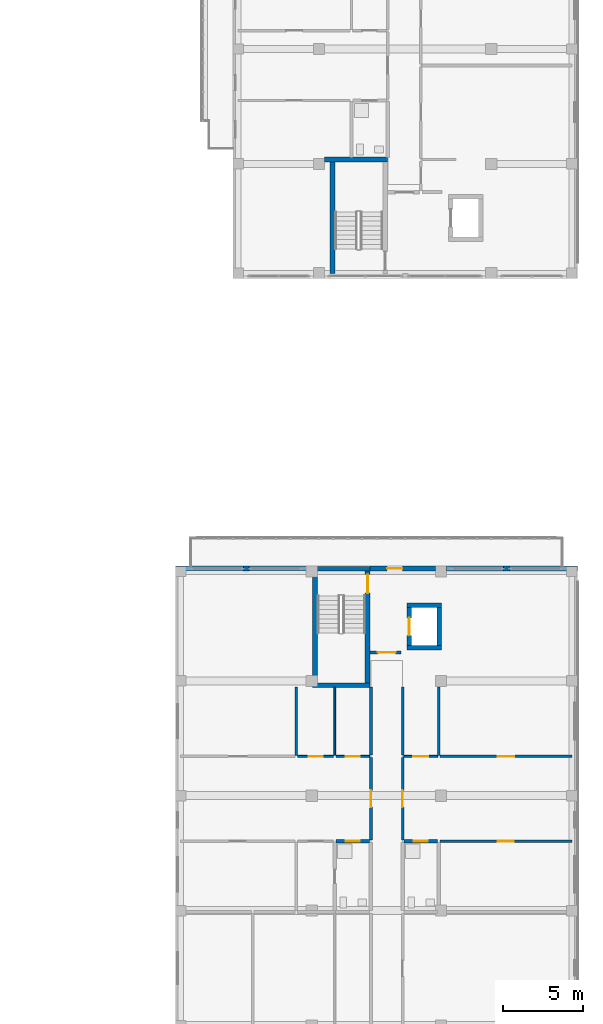
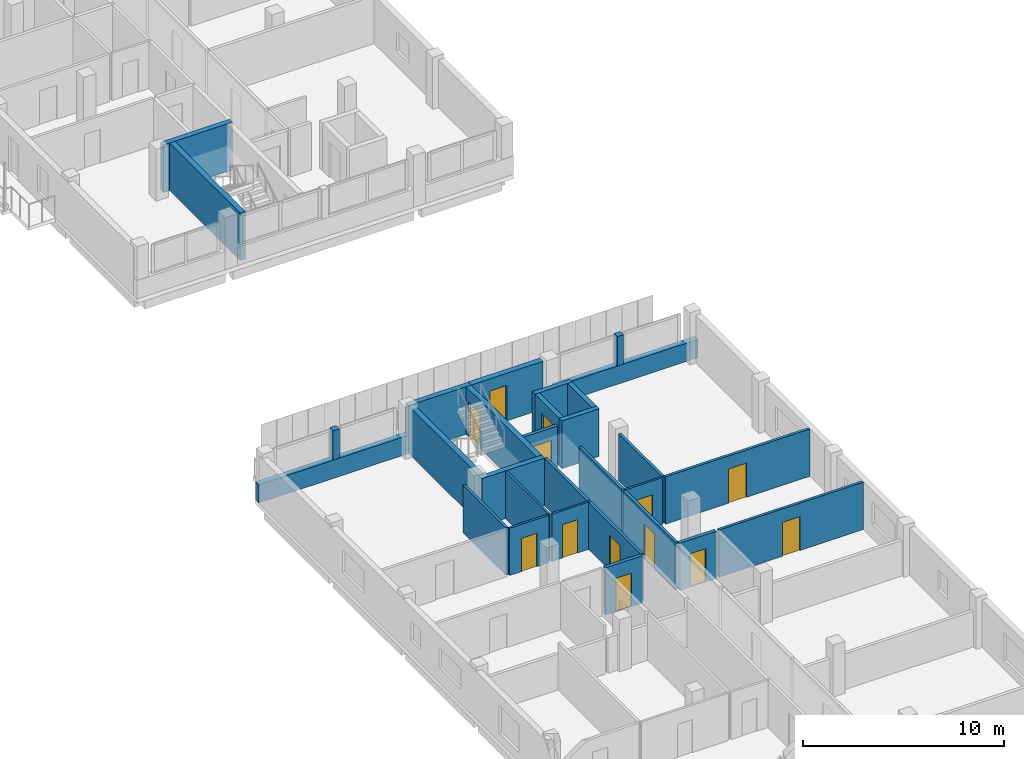
# One storey, part 35 of 56: 30 walls, 13 doors, 13 openings.
"""IFC4 building model written with IfcOpenShell, lengths in metres."""

from ifc_helpers import new_model, si_unit, derived_unit, direction, frame, frame_2d, origin, place, context, subcontext, project, spatial, rectangle, extrude, material, layer, layer_set, type_object, element, fill, save


model = new_model("IFC4")

# Units and contexts
model_context = context("Model", 3, precision=1e-05, world=origin(), true_north=direction((0.0, 1.0)))
body_context = subcontext(model_context, "Body", "Model", "MODEL_VIEW")
ifc_project = project(units=[si_unit("LENGTHUNIT", "METRE"), si_unit("AREAUNIT", "SQUARE_METRE"), si_unit("VOLUMEUNIT", "CUBIC_METRE"), si_unit("PLANEANGLEUNIT", "RADIAN"), si_unit("MASSUNIT", "GRAM", prefix="KILO"), derived_unit("THERMALTRANSMITTANCEUNIT", [(si_unit("MASSUNIT", "GRAM", prefix="KILO"), 1), (si_unit("TIMEUNIT", "SECOND"), -3), (si_unit("THERMODYNAMICTEMPERATUREUNIT", "KELVIN"), -1)])], contexts=[model_context])

# Site, building, storey
site_placement = place(None, origin())
site = spatial("IfcSite", under=ifc_project, at=site_placement, CompositionType="ELEMENT")
building_placement = place(site_placement, origin())
building = spatial("IfcBuilding", under=site, at=building_placement, Name="Ochrekiln Boulevard Commons", CompositionType="ELEMENT")
storey_placement = place(building_placement, frame((0.0, 0.0, 12.074951171875)))
storey = spatial("IfcBuildingStorey", under=building, at=storey_placement, Name="L03", CompositionType="ELEMENT", Elevation=12.074951171875)

# Walls
ifc_material_1 = material(Name="Desert ochre clinker brick masonry ASTM C216 Grade SW", Category="masonry")
ifc_layer_1 = layer(ifc_material_1, 0.330078125)
ifc_layer_set_1 = layer_set([ifc_layer_1], Name="Desert ochre clinker brick masonry ASTM C216 Grade SW")
wall_type_1 = type_object("IfcWallType", Name="WL-EXT-OCHRE-330", PredefinedType="SOLIDWALL", material=ifc_layer_set_1)
wall_1_placement = place(storey_placement, frame((151.8701171875, 50.235107421875, 1.110107421875), z_axis=(0.0, 0.0, 1.0), x_axis=(1.0, 0.0, 0.0)))
element("IfcWall", 1, at=wall_1_placement, inside=storey, type_object=wall_type_1, Name="Block C L03 Courtyard Gable Mullion Pier", PredefinedType="SOLIDWALL", context=body_context, shape_type="SweptSolid", body=[
    extrude(rectangle(XDim=0.35986328125, YDim=0.330078125, at=frame_2d((0.179931640625, 0.0))), origin(), (0.0, 0.0, 1.0), 1.780029296875),
])
wall_2_placement = place(storey_placement, frame((168.169921875, 50.235107421875, 1.110107421875), z_axis=(0.0, 0.0, 1.0), x_axis=(1.0, 0.0, 0.0)))
element("IfcWall", 2, at=wall_2_placement, inside=storey, type_object=wall_type_1, Name="Block C L03 Courtyard Gable Mullion Pier", PredefinedType="SOLIDWALL", context=body_context, shape_type="SweptSolid", body=[
    extrude(rectangle(XDim=0.360107421875, YDim=0.330078125, at=frame_2d((0.18017578125, 0.0))), origin(), (0.0, 0.0, 1.0), 1.780029296875),
])

# Wall, opening, door
wall_3_placement = place(storey_placement, frame((159.800048828125, 50.235107421875, 0.0), z_axis=(0.0, 0.0, 1.0), x_axis=(1.0, 0.0, 0.0)))
wall_3 = element("IfcWall", 3, at=wall_3_placement, inside=storey, type_object=wall_type_1, Name="Block C L03 North Balcony Door Wall", PredefinedType="SOLIDWALL", context=body_context, shape_type="SweptSolid", body=[
    extrude(rectangle(XDim=4.099853515625, YDim=0.330078125, at=frame_2d((2.0498046875, 0.0))), origin(), (0.0, 0.0, 1.0), 2.89013671875),
])
opening_1_placement = place(wall_3_placement, frame((1.074951171875, 0.0, 0.0)))
opening_1 = element("IfcOpeningElement", 4, at=opening_1_placement, cuts=wall_3, Name="Opening D-L03-CBL", PredefinedType="OPENING", context=body_context, shape_type="SweptSolid", body=[
    extrude(rectangle(XDim=0.949951171875, YDim=2.14990234375, at=frame_2d((0.47509765625, 1.074951171875))), frame((0.0, 0.175048828125, 0.0), z_axis=(0.0, -1.0, 0.0), x_axis=(1.0, 0.0, 0.0)), (0.0, 0.0, 1.0), 0.35009765625),
])
ifc_material_2 = material(Name="Thermally broken aluminium-clad oak frame", Category="aluminium")
door_type_1 = type_object("IfcDoorType", Name="DR-EXT-BAL-095", OperationType="NOTDEFINED", PredefinedType="DOOR", material=ifc_material_2)
door_1_placement = place(opening_1_placement, origin())
door_1 = element("IfcDoor", 5, at=door_1_placement, inside=storey, type_object=door_type_1, Name="Block C L03 North Courtyard Balcony Door", OperationType="SINGLE_SWING_LEFT", OverallHeight=2.14990234375, OverallWidth=0.949951171875, PredefinedType="DOOR", context=body_context, shape_type="SweptSolid", body=[
    extrude(rectangle(XDim=0.949951171875, YDim=2.14990234375, at=frame_2d((0.47509765625, 1.074951171875))), frame((0.0, 0.02490234375, 0.0), z_axis=(0.0, -1.0, 0.0), x_axis=(1.0, 0.0, 0.0)), (0.0, 0.0, 1.0), 0.050048828125),
])
fill(opening_1, door_1)

# Walls
wall_4_placement = place(storey_placement, frame((147.60009765625, 50.235107421875, 0.0), z_axis=(0.0, 0.0, 1.0), x_axis=(1.0, 0.0, 0.0)))
element("IfcWall", 6, at=wall_4_placement, inside=storey, type_object=wall_type_1, Name="Block C L03 Courtyard Gable Sill Wall L", PredefinedType="SOLIDWALL", context=body_context, shape_type="SweptSolid", body=[
    extrude(rectangle(XDim=8.599853515625, YDim=0.330078125, at=frame_2d((4.2998046875, 0.0))), origin(), (0.0, 0.0, 1.0), 1.110107421875),
])
wall_5_placement = place(storey_placement, frame((164.60009765625, 50.235107421875, 0.0), z_axis=(0.0, 0.0, 1.0), x_axis=(1.0, 0.0, 0.0)))
element("IfcWall", 7, at=wall_5_placement, inside=storey, type_object=wall_type_1, Name="Block C L03 Courtyard Gable Sill Wall R", PredefinedType="SOLIDWALL", context=body_context, shape_type="SweptSolid", body=[
    extrude(rectangle(XDim=8.199951171875, YDim=0.330078125, at=frame_2d((4.10009765625, 0.0))), origin(), (0.0, 0.0, 1.0), 1.110107421875),
])

# Wall, opening, door
ifc_material_3 = material(Name="Moisture-resistant cementitious tile backer wall")
ifc_layer_2 = layer(ifc_material_3, 0.199951171875)
ifc_layer_set_2 = layer_set([ifc_layer_2], Name="Moisture-resistant cementitious tile backer wall")
wall_type_2 = type_object("IfcWallType", Name="WL-PLM-200", PredefinedType="PLUMBINGWALL", material=ifc_layer_set_2)
wall_6_placement = place(storey_placement, frame((157.669921875, 33.14697265625, 0.0), z_axis=(0.0, 0.0, 1.0), x_axis=(1.0, 0.0, 0.0)))
wall_6 = element("IfcWall", 8, at=wall_6_placement, inside=storey, type_object=wall_type_2, Name="L03 Interior Wall W-PW200", PredefinedType="PLUMBINGWALL", context=body_context, shape_type="SweptSolid", body=[
    extrude(rectangle(XDim=2.108154296875, YDim=0.199951171875, at=frame_2d((1.05419921875, 0.0))), origin(), (0.0, 0.0, 1.0), 2.8701171875),
])
opening_2_placement = place(wall_6_placement, frame((0.60498046875, 0.0, 0.0)))
opening_2 = element("IfcOpeningElement", 9, at=opening_2_placement, cuts=wall_6, Name="Opening D-L03-518", PredefinedType="OPENING", context=body_context, shape_type="SweptSolid", body=[
    extrude(rectangle(XDim=0.889892578125, YDim=2.030029296875, at=frame_2d((0.44482421875, 1.01513671875))), frame((0.0, 0.10986328125, 0.0), z_axis=(0.0, -1.0, 0.0), x_axis=(1.0, 0.0, 0.0)), (0.0, 0.0, 1.0), 0.219970703125),
])
ifc_material_4 = material(Name="Solid core architectural oak door leaf")
door_type_2 = type_object("IfcDoorType", Name="DR-INT-BTH-089", OperationType="NOTDEFINED", PredefinedType="DOOR", material=ifc_material_4)
door_2_placement = place(opening_2_placement, frame((0.889892578125, 0.0, 0.0), z_axis=(0.0, 0.0, 1.0), x_axis=(-1.0, 0.0, 0.0)))
door_2 = element("IfcDoor", 10, at=door_2_placement, inside=storey, type_object=door_type_2, Name="L03 Interior Door to Apartment Bathroom", OperationType="SINGLE_SWING_RIGHT", OverallHeight=2.030029296875, OverallWidth=0.889892578125, PredefinedType="DOOR", context=body_context, shape_type="SweptSolid", body=[
    extrude(rectangle(XDim=0.889892578125, YDim=2.030029296875, at=frame_2d((0.44482421875, 1.01513671875))), frame((0.0, 0.02490234375, 0.0), z_axis=(0.0, -1.0, 0.0), x_axis=(1.0, 0.0, 0.0)), (0.0, 0.0, 1.0), 0.050048828125),
])
fill(opening_2, door_2)

wall_7_placement = place(storey_placement, frame((161.923095703125, 33.14697265625, 0.0), z_axis=(0.0, 0.0, 1.0), x_axis=(1.0, 0.0, 0.0)))
wall_7 = element("IfcWall", 11, at=wall_7_placement, inside=storey, type_object=wall_type_2, Name="L03 Interior Wall W-PW200", PredefinedType="PLUMBINGWALL", context=body_context, shape_type="SweptSolid", body=[
    extrude(rectangle(XDim=2.10693359375, YDim=0.199951171875, at=frame_2d((1.053466796875, 0.0))), origin(), (0.0, 0.0, 1.0), 2.8701171875),
])
opening_3_placement = place(wall_7_placement, frame((0.612060546875, 0.0, 0.0)))
opening_3 = element("IfcOpeningElement", 12, at=opening_3_placement, cuts=wall_7, Name="Opening D-L03-525", PredefinedType="OPENING", context=body_context, shape_type="SweptSolid", body=[
    extrude(rectangle(XDim=0.889892578125, YDim=2.030029296875, at=frame_2d((0.44482421875, 1.01513671875))), frame((0.0, 0.10986328125, 0.0), z_axis=(0.0, -1.0, 0.0), x_axis=(1.0, 0.0, 0.0)), (0.0, 0.0, 1.0), 0.219970703125),
])
door_3_placement = place(opening_3_placement, frame((0.889892578125, 0.0, 0.0), z_axis=(0.0, 0.0, 1.0), x_axis=(-1.0, 0.0, 0.0)))
door_3 = element("IfcDoor", 13, at=door_3_placement, inside=storey, type_object=door_type_2, Name="L03 Interior Door to Apartment Bathroom", OperationType="SINGLE_SWING_LEFT", OverallHeight=2.030029296875, OverallWidth=0.889892578125, PredefinedType="DOOR", context=body_context, shape_type="SweptSolid", body=[
    extrude(rectangle(XDim=0.889892578125, YDim=2.030029296875, at=frame_2d((0.44482421875, 1.01513671875))), frame((0.0, 0.02490234375, 0.0), z_axis=(0.0, -1.0, 0.0), x_axis=(1.0, 0.0, 0.0)), (0.0, 0.0, 1.0), 0.050048828125),
])
fill(opening_3, door_3)

ifc_material_5 = material(Name="Fire-rated Type X gypsum board on steel studs", Category="steel")
ifc_layer_3 = layer(ifc_material_5, 0.1650390625)
ifc_layer_set_3 = layer_set([ifc_layer_3], Name="Fire-rated Type X gypsum board on steel studs")
wall_type_3 = type_object("IfcWallType", Name="WL-PT-CORR-165", PredefinedType="PARTITIONING", material=ifc_layer_set_3)
wall_8_placement = place(storey_placement, frame((159.860107421875, 33.22705078125, 0.0), z_axis=(0.0, 0.0, 1.0), x_axis=(0.0, 1.0, 0.0)))
wall_8 = element("IfcWall", 14, at=wall_8_placement, inside=storey, type_object=wall_type_3, Name="L03 Interior Wall W-PC165", PredefinedType="PARTITIONING", context=body_context, shape_type="SweptSolid", body=[
    extrude(rectangle(XDim=5.156005859375, YDim=0.1650390625, at=frame_2d((2.578125, 0.0))), origin(), (0.0, 0.0, 1.0), 2.8701171875),
])
opening_4_placement = place(wall_8_placement, frame((2.052978515625, 0.0, 0.0)))
opening_4 = element("IfcOpeningElement", 15, at=opening_4_placement, cuts=wall_8, Name="Opening D-L03-506", PredefinedType="OPENING", context=body_context, shape_type="SweptSolid", body=[
    extrude(rectangle(XDim=1.050048828125, YDim=2.1298828125, at=frame_2d((0.52490234375, 1.06494140625))), frame((0.0, 0.092529296875, 0.0), z_axis=(0.0, -1.0, 0.0), x_axis=(1.0, 0.0, 0.0)), (0.0, 0.0, 1.0), 0.18505859375),
])
door_type_3 = type_object("IfcDoorType", Name="DR-INT-APT-105", OperationType="NOTDEFINED", PredefinedType="DOOR", material=ifc_material_4)
door_4_placement = place(opening_4_placement, origin())
door_4 = element("IfcDoor", 16, at=door_4_placement, inside=storey, type_object=door_type_3, Name="L03 Interior Door to Two-Bedroom Apartment Living Room", OperationType="SINGLE_SWING_RIGHT", OverallHeight=2.1298828125, OverallWidth=1.050048828125, PredefinedType="DOOR", context=body_context, shape_type="SweptSolid", body=[
    extrude(rectangle(XDim=1.050048828125, YDim=2.1298828125, at=frame_2d((0.52490234375, 1.06494140625))), frame((0.0, 0.02490234375, 0.0), z_axis=(0.0, -1.0, 0.0), x_axis=(1.0, 0.0, 0.0)), (0.0, 0.0, 1.0), 0.050048828125),
])
fill(opening_4, door_4)

# Wall
wall_9_placement = place(storey_placement, frame((159.860107421875, 38.54296875, 0.0), z_axis=(0.0, 0.0, 1.0), x_axis=(0.0, 1.0, 0.0)))
element("IfcWall", 17, at=wall_9_placement, inside=storey, type_object=wall_type_3, Name="L03 Interior Wall W-PC165", PredefinedType="PARTITIONING", context=body_context, shape_type="SweptSolid", body=[
    extrude(rectangle(XDim=4.257080078125, YDim=0.1650390625, at=frame_2d((2.12841796875, 0.0))), origin(), (0.0, 0.0, 1.0), 2.8701171875),
])

# Wall, opening, door
wall_10_placement = place(storey_placement, frame((161.840087890625, 33.22705078125, 0.0), z_axis=(0.0, 0.0, 1.0), x_axis=(0.0, 1.0, 0.0)))
wall_10 = element("IfcWall", 18, at=wall_10_placement, inside=storey, type_object=wall_type_3, Name="L03 Interior Wall W-PC165", PredefinedType="PARTITIONING", context=body_context, shape_type="SweptSolid", body=[
    extrude(rectangle(XDim=5.156005859375, YDim=0.1650390625, at=frame_2d((2.578125, 0.0))), origin(), (0.0, 0.0, 1.0), 2.8701171875),
])
opening_5_placement = place(wall_10_placement, frame((2.052978515625, 0.0, 0.0)))
opening_5 = element("IfcOpeningElement", 19, at=opening_5_placement, cuts=wall_10, Name="Opening D-L03-510", PredefinedType="OPENING", context=body_context, shape_type="SweptSolid", body=[
    extrude(rectangle(XDim=1.050048828125, YDim=2.1298828125, at=frame_2d((0.52490234375, 1.06494140625))), frame((0.0, 0.092529296875, 0.0), z_axis=(0.0, -1.0, 0.0), x_axis=(1.0, 0.0, 0.0)), (0.0, 0.0, 1.0), 0.18505859375),
])
door_5_placement = place(opening_5_placement, frame((1.050048828125, 0.0, 0.0), z_axis=(0.0, 0.0, 1.0), x_axis=(-1.0, 0.0, 0.0)))
door_5 = element("IfcDoor", 20, at=door_5_placement, inside=storey, type_object=door_type_3, Name="L03 Interior Door to Two-Bedroom Apartment Living Room", OperationType="SINGLE_SWING_RIGHT", OverallHeight=2.1298828125, OverallWidth=1.050048828125, PredefinedType="DOOR", context=body_context, shape_type="SweptSolid", body=[
    extrude(rectangle(XDim=1.050048828125, YDim=2.1298828125, at=frame_2d((0.52490234375, 1.06494140625))), frame((0.0, 0.02490234375, 0.0), z_axis=(0.0, -1.0, 0.0), x_axis=(1.0, 0.0, 0.0)), (0.0, 0.0, 1.0), 0.050048828125),
])
fill(opening_5, door_5)

# Wall
wall_11_placement = place(storey_placement, frame((161.840087890625, 38.54296875, 0.0), z_axis=(0.0, 0.0, 1.0), x_axis=(0.0, 1.0, 0.0)))
element("IfcWall", 21, at=wall_11_placement, inside=storey, type_object=wall_type_3, Name="L03 Interior Wall W-PC165", PredefinedType="PARTITIONING", context=body_context, shape_type="SweptSolid", body=[
    extrude(rectangle(XDim=4.257080078125, YDim=0.1650390625, at=frame_2d((2.12841796875, 0.0))), origin(), (0.0, 0.0, 1.0), 2.8701171875),
])

# Wall, opening, door
ifc_layer_4 = layer(ifc_material_5, 0.18994140625)
ifc_layer_set_4 = layer_set([ifc_layer_4], Name="Fire-rated Type X gypsum board on steel studs")
wall_type_4 = type_object("IfcWallType", Name="WL-PT-LBY-190", PredefinedType="PARTITIONING", material=ifc_layer_set_4)
wall_12_placement = place(storey_placement, frame((159.800048828125, 44.97998046875, 0.0), z_axis=(0.0, 0.0, 1.0), x_axis=(1.0, 0.0, 0.0)))
wall_12 = element("IfcWall", 22, at=wall_12_placement, inside=storey, type_object=wall_type_4, Name="L03 Interior Wall W-PL190", PredefinedType="PARTITIONING", context=body_context, shape_type="SweptSolid", body=[
    extrude(rectangle(XDim=1.949951171875, YDim=0.18994140625, at=frame_2d((0.97509765625, 0.0))), origin(), (0.0, 0.0, 1.0), 2.8701171875),
])
opening_6_placement = place(wall_12_placement, frame((0.5, 0.0, 0.0)))
opening_6 = element("IfcOpeningElement", 23, at=opening_6_placement, cuts=wall_12, Name="Opening D-L03-503", PredefinedType="OPENING", context=body_context, shape_type="SweptSolid", body=[
    extrude(rectangle(XDim=1.10009765625, YDim=2.1201171875, at=frame_2d((0.550048828125, 1.06005859375))), frame((0.0, 0.10498046875, 0.0), z_axis=(0.0, -1.0, 0.0), x_axis=(1.0, 0.0, 0.0)), (0.0, 0.0, 1.0), 0.2099609375),
])
ifc_material_6 = material(Name="Hollow metal fire-rated steel door assembly", Category="steel")
door_type_4 = type_object("IfcDoorType", Name="DR-LOBBY-60", OperationType="NOTDEFINED", PredefinedType="DOOR", material=ifc_material_6)
door_6_placement = place(opening_6_placement, origin())
door_6 = element("IfcDoor", 24, at=door_6_placement, inside=storey, type_object=door_type_4, Name="L03 Interior Door to Passenger Elevator Lobby", OperationType="SINGLE_SWING_LEFT", OverallHeight=2.1201171875, OverallWidth=1.10009765625, PredefinedType="DOOR", context=body_context, shape_type="SweptSolid", body=[
    extrude(rectangle(XDim=1.10009765625, YDim=2.1201171875, at=frame_2d((0.550048828125, 1.06005859375))), frame((0.0, 0.02490234375, 0.0), z_axis=(0.0, -1.0, 0.0), x_axis=(1.0, 0.0, 0.0)), (0.0, 0.0, 1.0), 0.050048828125),
])
fill(opening_6, door_6)

ifc_layer_5 = layer(ifc_material_5, 0.1201171875)
ifc_layer_set_5 = layer_set([ifc_layer_5], Name="Fire-rated Type X gypsum board on steel studs")
wall_type_5 = type_object("IfcWallType", Name="WL-PT-LGT-120", PredefinedType="PARTITIONING", material=ifc_layer_set_5)
wall_13_placement = place(storey_placement, frame((157.669921875, 38.462890625, 0.0), z_axis=(0.0, 0.0, 1.0), x_axis=(1.0, 0.0, 0.0)))
wall_13 = element("IfcWall", 25, at=wall_13_placement, inside=storey, type_object=wall_type_5, Name="L03 Interior Wall W-PL120", PredefinedType="PARTITIONING", context=body_context, shape_type="SweptSolid", body=[
    extrude(rectangle(XDim=2.108154296875, YDim=0.1201171875, at=frame_2d((1.05419921875, 0.0))), origin(), (0.0, 0.0, 1.0), 2.8701171875),
])
opening_7_placement = place(wall_13_placement, frame((0.610107421875, 0.0, 0.0)))
opening_7 = element("IfcOpeningElement", 26, at=opening_7_placement, cuts=wall_13, Name="Opening D-L03-519", PredefinedType="OPENING", context=body_context, shape_type="SweptSolid", body=[
    extrude(rectangle(XDim=0.8798828125, YDim=2.02001953125, at=frame_2d((0.43994140625, 1.010009765625))), frame((0.0, 0.070068359375, 0.0), z_axis=(0.0, -1.0, 0.0), x_axis=(1.0, 0.0, 0.0)), (0.0, 0.0, 1.0), 0.14013671875),
])
door_type_5 = type_object("IfcDoorType", Name="DR-INT-KIT-088", OperationType="NOTDEFINED", PredefinedType="DOOR", material=ifc_material_4)
door_7_placement = place(opening_7_placement, origin())
door_7 = element("IfcDoor", 27, at=door_7_placement, inside=storey, type_object=door_type_5, Name="L03 Interior Door to Apartment Kitchen", OperationType="SINGLE_SWING_LEFT", OverallHeight=2.02001953125, OverallWidth=0.8798828125, PredefinedType="DOOR", context=body_context, shape_type="SweptSolid", body=[
    extrude(rectangle(XDim=0.8798828125, YDim=2.02001953125, at=frame_2d((0.43994140625, 1.010009765625))), frame((0.0, 0.02490234375, 0.0), z_axis=(0.0, -1.0, 0.0), x_axis=(1.0, 0.0, 0.0)), (0.0, 0.0, 1.0), 0.050048828125),
])
fill(opening_7, door_7)

wall_14_placement = place(storey_placement, frame((155.260009765625, 38.462890625, 0.0), z_axis=(0.0, 0.0, 1.0), x_axis=(1.0, 0.0, 0.0)))
wall_14 = element("IfcWall", 28, at=wall_14_placement, inside=storey, type_object=wall_type_5, Name="L03 Interior Wall W-PL120", PredefinedType="PARTITIONING", context=body_context, shape_type="SweptSolid", body=[
    extrude(rectangle(XDim=2.25, YDim=0.1201171875, at=frame_2d((1.125, 0.0))), origin(), (0.0, 0.0, 1.0), 2.8701171875),
])
opening_8_placement = place(wall_14_placement, frame((0.68505859375, 0.0, 0.0)))
opening_8 = element("IfcOpeningElement", 29, at=opening_8_placement, cuts=wall_14, Name="Opening D-L03-523", PredefinedType="OPENING", context=body_context, shape_type="SweptSolid", body=[
    extrude(rectangle(XDim=0.8798828125, YDim=2.02001953125, at=frame_2d((0.43994140625, 1.010009765625))), frame((0.0, 0.070068359375, 0.0), z_axis=(0.0, -1.0, 0.0), x_axis=(1.0, 0.0, 0.0)), (0.0, 0.0, 1.0), 0.14013671875),
])
door_8_placement = place(opening_8_placement, origin())
door_8 = element("IfcDoor", 30, at=door_8_placement, inside=storey, type_object=door_type_5, Name="L03 Interior Door to Apartment Walk-In Wardrobe", OperationType="SINGLE_SWING_LEFT", OverallHeight=2.02001953125, OverallWidth=0.8798828125, PredefinedType="DOOR", context=body_context, shape_type="SweptSolid", body=[
    extrude(rectangle(XDim=0.8798828125, YDim=2.02001953125, at=frame_2d((0.43994140625, 1.010009765625))), frame((0.0, 0.02490234375, 0.0), z_axis=(0.0, -1.0, 0.0), x_axis=(1.0, 0.0, 0.0)), (0.0, 0.0, 1.0), 0.050048828125),
])
fill(opening_8, door_8)

# Wall
wall_15_placement = place(storey_placement, frame((157.590087890625, 38.52294921875, 0.0), z_axis=(0.0, 0.0, 1.0), x_axis=(0.0, 1.0, 0.0)))
element("IfcWall", 31, at=wall_15_placement, inside=storey, type_object=wall_type_5, Name="L03 Interior Wall W-PL120", PredefinedType="PARTITIONING", context=body_context, shape_type="SweptSolid", body=[
    extrude(rectangle(XDim=4.277099609375, YDim=0.1201171875, at=frame_2d((2.138671875, 0.0))), origin(), (0.0, 0.0, 1.0), 2.8701171875),
])

# Wall, opening, door
wall_16_placement = place(storey_placement, frame((161.923095703125, 38.462890625, 0.0), z_axis=(0.0, 0.0, 1.0), x_axis=(1.0, 0.0, 0.0)))
wall_16 = element("IfcWall", 32, at=wall_16_placement, inside=storey, type_object=wall_type_5, Name="L03 Interior Wall W-PL120", PredefinedType="PARTITIONING", context=body_context, shape_type="SweptSolid", body=[
    extrude(rectangle(XDim=2.10693359375, YDim=0.1201171875, at=frame_2d((1.053466796875, 0.0))), origin(), (0.0, 0.0, 1.0), 2.8701171875),
])
opening_9_placement = place(wall_16_placement, frame((0.596923828125, 0.0, 0.0)))
opening_9 = element("IfcOpeningElement", 33, at=opening_9_placement, cuts=wall_16, Name="Opening D-L03-526", PredefinedType="OPENING", context=body_context, shape_type="SweptSolid", body=[
    extrude(rectangle(XDim=0.919921875, YDim=2.02001953125, at=frame_2d((0.4599609375, 1.010009765625))), frame((0.0, 0.070068359375, 0.0), z_axis=(0.0, -1.0, 0.0), x_axis=(1.0, 0.0, 0.0)), (0.0, 0.0, 1.0), 0.14013671875),
])
door_type_6 = type_object("IfcDoorType", Name="DR-INT-KIT-092", OperationType="NOTDEFINED", PredefinedType="DOOR", material=ifc_material_4)
door_9_placement = place(opening_9_placement, origin())
door_9 = element("IfcDoor", 34, at=door_9_placement, inside=storey, type_object=door_type_6, Name="L03 Interior Door to Apartment Kitchen", OperationType="SINGLE_SWING_RIGHT", OverallHeight=2.02001953125, OverallWidth=0.919921875, PredefinedType="DOOR", context=body_context, shape_type="SweptSolid", body=[
    extrude(rectangle(XDim=0.919921875, YDim=2.02001953125, at=frame_2d((0.4599609375, 1.010009765625))), frame((0.0, 0.02490234375, 0.0), z_axis=(0.0, -1.0, 0.0), x_axis=(1.0, 0.0, 0.0)), (0.0, 0.0, 1.0), 0.050048828125),
])
fill(opening_9, door_9)

# Wall
ifc_layer_6 = layer(ifc_material_5, 0.14990234375)
ifc_layer_set_6 = layer_set([ifc_layer_6], Name="Fire-rated Type X gypsum board on steel studs")
wall_type_6 = type_object("IfcWallType", Name="WL-PT-STD-150", PredefinedType="PARTITIONING", material=ifc_layer_set_6)
wall_17_placement = place(storey_placement, frame((155.179931640625, 38.52294921875, 0.0), z_axis=(0.0, 0.0, 1.0), x_axis=(0.0, 1.0, 0.0)))
element("IfcWall", 35, at=wall_17_placement, inside=storey, type_object=wall_type_6, Name="L03 Interior Wall W-PS150", PredefinedType="PARTITIONING", context=body_context, shape_type="SweptSolid", body=[
    extrude(rectangle(XDim=4.277099609375, YDim=0.14990234375, at=frame_2d((2.138671875, 0.0))), origin(), (0.0, 0.0, 1.0), 2.8701171875),
])

# Wall, opening, door
wall_18_placement = place(storey_placement, frame((164.18994140625, 33.14697265625, 0.0), z_axis=(0.0, 0.0, 1.0), x_axis=(1.0, 0.0, 0.0)))
wall_18 = element("IfcWall", 36, at=wall_18_placement, inside=storey, type_object=wall_type_6, Name="L03 Interior Wall W-PS150", PredefinedType="PARTITIONING", context=body_context, shape_type="SweptSolid", body=[
    extrude(rectangle(XDim=8.280029296875, YDim=0.14990234375, at=frame_2d((4.14013671875, 0.0))), origin(), (0.0, 0.0, 1.0), 2.8701171875),
])
opening_10_placement = place(wall_18_placement, frame((3.6298828125, 0.0, 0.0)))
opening_10 = element("IfcOpeningElement", 37, at=opening_10_placement, cuts=wall_18, Name="Opening D-L03-527", PredefinedType="OPENING", context=body_context, shape_type="SweptSolid", body=[
    extrude(rectangle(XDim=1.0, YDim=2.06005859375, at=frame_2d((0.5, 1.030029296875))), frame((0.0, 0.0849609375, 0.0), z_axis=(0.0, -1.0, 0.0), x_axis=(1.0, 0.0, 0.0)), (0.0, 0.0, 1.0), 0.169921875),
])
door_type_7 = type_object("IfcDoorType", Name="DR-INT-BED-100", OperationType="NOTDEFINED", PredefinedType="DOOR", material=ifc_material_4)
door_10_placement = place(opening_10_placement, frame((1.0, 0.0, 0.0), z_axis=(0.0, 0.0, 1.0), x_axis=(-1.0, 0.0, 0.0)))
door_10 = element("IfcDoor", 38, at=door_10_placement, inside=storey, type_object=door_type_7, Name="L03 Interior Door to Primary Apartment Bedroom", OperationType="SINGLE_SWING_LEFT", OverallHeight=2.06005859375, OverallWidth=1.0, PredefinedType="DOOR", context=body_context, shape_type="SweptSolid", body=[
    extrude(rectangle(XDim=1.0, YDim=2.06005859375, at=frame_2d((0.5, 1.030029296875))), frame((0.0, 0.02490234375, 0.0), z_axis=(0.0, -1.0, 0.0), x_axis=(1.0, 0.0, 0.0)), (0.0, 0.0, 1.0), 0.050048828125),
])
fill(opening_10, door_10)

wall_19_placement = place(storey_placement, frame((164.18994140625, 38.462890625, 0.0), z_axis=(0.0, 0.0, 1.0), x_axis=(1.0, 0.0, 0.0)))
wall_19 = element("IfcWall", 39, at=wall_19_placement, inside=storey, type_object=wall_type_6, Name="L03 Interior Wall W-PS150", PredefinedType="PARTITIONING", context=body_context, shape_type="SweptSolid", body=[
    extrude(rectangle(XDim=8.280029296875, YDim=0.14990234375, at=frame_2d((4.14013671875, 0.0))), origin(), (0.0, 0.0, 1.0), 2.8701171875),
])
opening_11_placement = place(wall_19_placement, frame((3.610107421875, 0.0, 0.0)))
opening_11 = element("IfcOpeningElement", 40, at=opening_11_placement, cuts=wall_19, Name="Opening D-L03-528", PredefinedType="OPENING", context=body_context, shape_type="SweptSolid", body=[
    extrude(rectangle(XDim=1.0400390625, YDim=2.080078125, at=frame_2d((0.52001953125, 1.0400390625))), frame((0.0, 0.0849609375, 0.0), z_axis=(0.0, -1.0, 0.0), x_axis=(1.0, 0.0, 0.0)), (0.0, 0.0, 1.0), 0.169921875),
])
door_type_8 = type_object("IfcDoorType", Name="DR-INT-BED-104", OperationType="NOTDEFINED", PredefinedType="DOOR", material=ifc_material_4)
door_11_placement = place(opening_11_placement, origin())
door_11 = element("IfcDoor", 41, at=door_11_placement, inside=storey, type_object=door_type_8, Name="L03 Interior Door to Secondary Apartment Bedroom", OperationType="SINGLE_SWING_RIGHT", OverallHeight=2.080078125, OverallWidth=1.0400390625, PredefinedType="DOOR", context=body_context, shape_type="SweptSolid", body=[
    extrude(rectangle(XDim=1.0400390625, YDim=2.080078125, at=frame_2d((0.52001953125, 1.0400390625))), frame((0.0, 0.02490234375, 0.0), z_axis=(0.0, -1.0, 0.0), x_axis=(1.0, 0.0, 0.0)), (0.0, 0.0, 1.0), 0.050048828125),
])
fill(opening_11, door_11)

# Walls
wall_20_placement = place(storey_placement, frame((164.110107421875, 38.52294921875, 0.0), z_axis=(0.0, 0.0, 1.0), x_axis=(0.0, 1.0, 0.0)))
element("IfcWall", 42, at=wall_20_placement, inside=storey, type_object=wall_type_6, Name="L03 Interior Wall W-PS150", PredefinedType="PARTITIONING", context=body_context, shape_type="SweptSolid", body=[
    extrude(rectangle(XDim=4.277099609375, YDim=0.14990234375, at=frame_2d((2.138671875, 0.0))), origin(), (0.0, 0.0, 1.0), 2.8701171875),
])
ifc_material_7 = material(Name="Concrete C40/50", Category="concrete")
ifc_layer_7 = layer(ifc_material_7, 0.27490234375)
ifc_layer_set_7 = layer_set([ifc_layer_7], Name="Concrete C40/50")
wall_type_7 = type_object("IfcWallType", Name="WL-SH-275", PredefinedType="SHEAR", material=ifc_layer_set_7)
for number, where, z_axis, x_axis, name in (
    (43, (162.125, 45.262451171875, 0.0), (0.0, 0.0, 1.0), (1.0, 0.0, 0.0), "Elevator LP-C2 L03 Hoistway Shear Wall"),
    (44, (162.125, 47.9375, 0.0), (0.0, 0.0, 1.0), (1.0, 0.0, 0.0), "Elevator LP-C2 L03 Hoistway Shear Wall"),
):
    element("IfcWall", number, at=place(storey_placement, frame(where, z_axis=z_axis, x_axis=x_axis)), inside=storey, type_object=wall_type_7, Name=name, PredefinedType="SHEAR", context=body_context, shape_type="SweptSolid", body=[
        extrude(rectangle(XDim=2.14990234375, YDim=0.27490234375, at=frame_2d((1.074951171875, 0.0))), origin(), (0.0, 0.0, 1.0), 2.89013671875),
    ])

# Wall, opening, door
wall_21_placement = place(storey_placement, frame((162.262451171875, 45.39990234375, 0.0), z_axis=(0.0, 0.0, 1.0), x_axis=(0.0, 1.0, 0.0)))
wall_21 = element("IfcWall", 45, at=wall_21_placement, inside=storey, type_object=wall_type_7, Name="Elevator LP-C2 L03 Hoistway Shear Wall", PredefinedType="SHEAR", context=body_context, shape_type="SweptSolid", body=[
    extrude(rectangle(XDim=2.400146484375, YDim=0.27490234375, at=frame_2d((1.2001953125, 0.0))), origin(), (0.0, 0.0, 1.0), 2.89013671875),
])
opening_12_placement = place(wall_21_placement, frame((0.64990234375, 0.0, 0.0)))
opening_12 = element("IfcOpeningElement", 46, at=opening_12_placement, cuts=wall_21, Name="Opening LD-LP-C2-L03", PredefinedType="OPENING", context=body_context, shape_type="SweptSolid", body=[
    extrude(rectangle(XDim=1.10009765625, YDim=2.14990234375, at=frame_2d((0.550048828125, 1.074951171875))), frame((0.0, 0.1474609375, 0.0), z_axis=(0.0, -1.0, 0.0), x_axis=(1.0, 0.0, 0.0)), (0.0, 0.0, 1.0), 0.294921875),
])
ifc_material_8 = material(Name="Brushed stainless steel 316 elevator cab and doors", Category="steel")
door_type_9 = type_object("IfcDoorType", Name="DR-LIFT-LD90", OperationType="SLIDING_TO_LEFT", PredefinedType="DOOR", material=ifc_material_8)
door_12_placement = place(opening_12_placement, origin())
door_12 = element("IfcDoor", 47, at=door_12_placement, inside=storey, type_object=door_type_9, Name="Elevator LP-C2 L03 Sliding Landing Door LD-LP-C2-L03", OperationType="SLIDING_TO_LEFT", OverallHeight=2.14990234375, OverallWidth=1.10009765625, PredefinedType="DOOR", context=body_context, shape_type="SweptSolid", body=[
    extrude(rectangle(XDim=1.10009765625, YDim=2.14990234375, at=frame_2d((0.550048828125, 1.074951171875))), frame((0.0, 0.02490234375, 0.0), z_axis=(0.0, -1.0, 0.0), x_axis=(1.0, 0.0, 0.0)), (0.0, 0.0, 1.0), 0.050048828125),
])
fill(opening_12, door_12)

# Walls
wall_22_placement = place(storey_placement, frame((164.137451171875, 45.39990234375, 0.0), z_axis=(0.0, 0.0, 1.0), x_axis=(0.0, 1.0, 0.0)))
element("IfcWall", 48, at=wall_22_placement, inside=storey, type_object=wall_type_7, Name="Elevator LP-C2 L03 Hoistway Shear Wall", PredefinedType="SHEAR", context=body_context, shape_type="SweptSolid", body=[
    extrude(rectangle(XDim=2.400146484375, YDim=0.27490234375, at=frame_2d((1.2001953125, 0.0))), origin(), (0.0, 0.0, 1.0), 2.89013671875),
])
ifc_layer_8 = layer(ifc_material_7, 0.300048828125)
ifc_layer_set_8 = layer_set([ifc_layer_8], Name="Concrete C40/50")
wall_type_8 = type_object("IfcWallType", Name="WL-SH-300", PredefinedType="SHEAR", material=ifc_layer_set_8)
wall_23_placement = place(storey_placement, frame((156.949951171875, 75.8701171875, 0.0), z_axis=(0.0, 0.0, 1.0), x_axis=(1.0, 0.0, 0.0)))
element("IfcWall", 49, at=wall_23_placement, inside=storey, type_object=wall_type_8, Name="Stair ST-B1 L03 Core Shear Wall N", PredefinedType="SHEAR", context=body_context, shape_type="SweptSolid", body=[
    extrude(rectangle(XDim=3.949951171875, YDim=0.300048828125, at=frame_2d((1.97509765625, 0.0))), origin(), (0.0, 0.0, 1.0), 2.89013671875),
])
wall_24_placement = place(storey_placement, frame((157.449951171875, 68.719970703125, 0.0), z_axis=(0.0, 0.0, 1.0), x_axis=(0.0, 1.0, 0.0)))
element("IfcWall", 50, at=wall_24_placement, inside=storey, type_object=wall_type_8, Name="Stair ST-B1 L03 Core Shear Wall W", PredefinedType="SHEAR", context=body_context, shape_type="SweptSolid", body=[
    extrude(rectangle(XDim=7.0, YDim=0.300048828125, at=frame_2d((3.5, 0.0))), origin(), (0.0, 0.0, 1.0), 2.89013671875),
])
for number, where, z_axis, x_axis, name in (
    (51, (156.199951171875, 42.929931640625, 0.0), (0.0, 0.0, 1.0), (1.0, 0.0, 0.0), "Stair ST-C2 L03 Core Shear Wall S"),
    (52, (156.199951171875, 50.22998046875, 0.0), (0.0, 0.0, 1.0), (1.0, 0.0, 0.0), "Stair ST-C2 L03 Core Shear Wall N"),
):
    element("IfcWall", number, at=place(storey_placement, frame(where, z_axis=z_axis, x_axis=x_axis)), inside=storey, type_object=wall_type_8, Name=name, PredefinedType="SHEAR", context=body_context, shape_type="SweptSolid", body=[
        extrude(rectangle(XDim=3.60009765625, YDim=0.300048828125, at=frame_2d((1.800048828125, 0.0))), origin(), (0.0, 0.0, 1.0), 2.89013671875),
    ])
wall_25_placement = place(storey_placement, frame((156.35009765625, 43.080078125, 0.0), z_axis=(0.0, 0.0, 1.0), x_axis=(0.0, 1.0, 0.0)))
element("IfcWall", 53, at=wall_25_placement, inside=storey, type_object=wall_type_8, Name="Stair ST-C2 L03 Core Shear Wall W", PredefinedType="SHEAR", context=body_context, shape_type="SweptSolid", body=[
    extrude(rectangle(XDim=7.0, YDim=0.300048828125, at=frame_2d((3.5, 0.0))), origin(), (0.0, 0.0, 1.0), 2.89013671875),
])

# Wall, opening, door
wall_26_placement = place(storey_placement, frame((159.64990234375, 43.080078125, 0.0), z_axis=(0.0, 0.0, 1.0), x_axis=(0.0, 1.0, 0.0)))
wall_26 = element("IfcWall", 54, at=wall_26_placement, inside=storey, type_object=wall_type_8, Name="Stair ST-C2 L03 Core Shear Wall E", PredefinedType="SHEAR", context=body_context, shape_type="SweptSolid", body=[
    extrude(rectangle(XDim=7.0, YDim=0.300048828125, at=frame_2d((3.5, 0.0))), origin(), (0.0, 0.0, 1.0), 2.89013671875),
])
opening_13_placement = place(wall_26_placement, frame((5.625, 0.0, 0.0)))
opening_13 = element("IfcOpeningElement", 55, at=opening_13_placement, cuts=wall_26, Name="Opening D-L03-ST-C2", PredefinedType="OPENING", context=body_context, shape_type="SweptSolid", body=[
    extrude(rectangle(XDim=1.14990234375, YDim=2.1201171875, at=frame_2d((0.574951171875, 1.06005859375))), frame((0.0, 0.159912109375, 0.0), z_axis=(0.0, -1.0, 0.0), x_axis=(1.0, 0.0, 0.0)), (0.0, 0.0, 1.0), 0.320068359375),
])
door_type_10 = type_object("IfcDoorType", Name="DR-STAIR-90", OperationType="NOTDEFINED", PredefinedType="DOOR", material=ifc_material_6)
door_13_placement = place(opening_13_placement, origin())
door_13 = element("IfcDoor", 56, at=door_13_placement, inside=storey, type_object=door_type_10, Name="Enclosed Exit Stair ST-C2 L03 Rated Door", OperationType="SINGLE_SWING_LEFT", OverallHeight=2.1201171875, OverallWidth=1.14990234375, PredefinedType="DOOR", context=body_context, shape_type="SweptSolid", body=[
    extrude(rectangle(XDim=1.14990234375, YDim=2.1201171875, at=frame_2d((0.574951171875, 1.06005859375))), frame((0.0, 0.02490234375, 0.0), z_axis=(0.0, -1.0, 0.0), x_axis=(1.0, 0.0, 0.0)), (0.0, 0.0, 1.0), 0.050048828125),
])
fill(opening_13, door_13)

save(model, "model.ifc")
